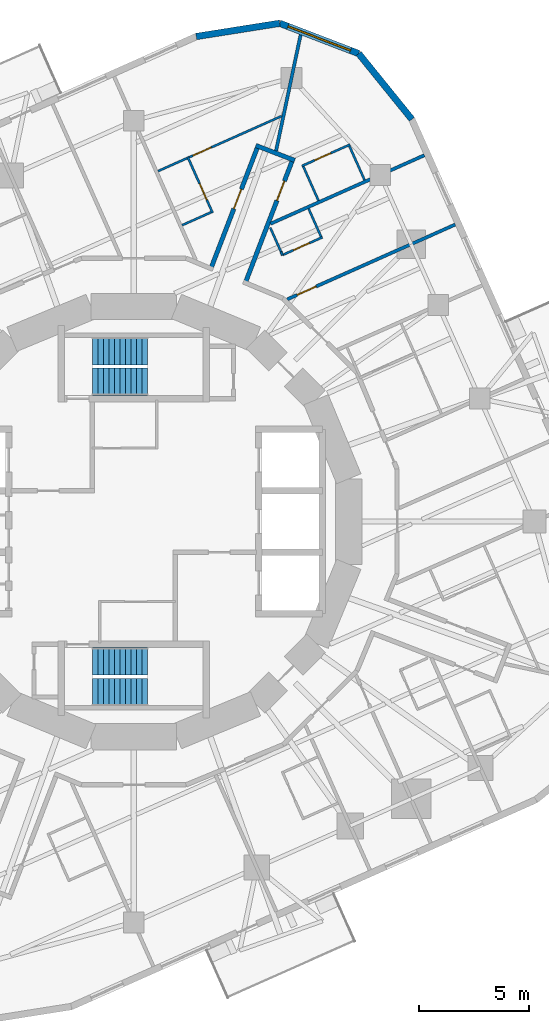
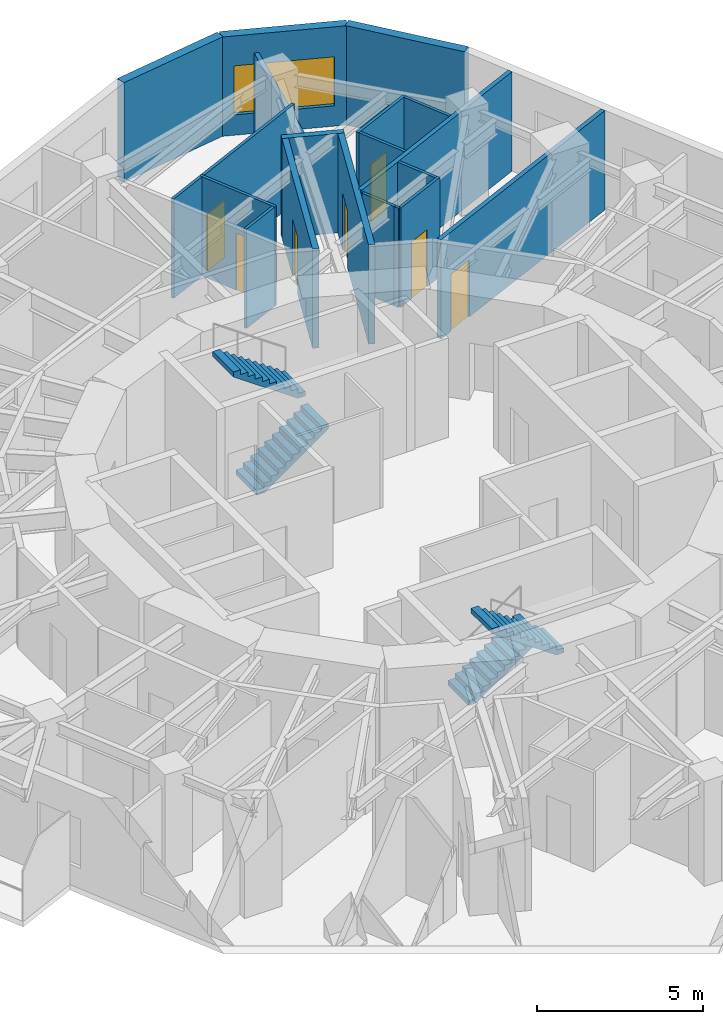
# One storey, part 10 of 12: 20 walls, 7 doors, 4 stair flights, 1 window, 8 openings, 2 elements without a shape of their own.
"""IFC4 building model written with IfcOpenShell, lengths in metres."""

from ifc_helpers import new_model, si_unit, direction, frame, frame_2d, origin, place, context, subcontext, project, spatial, polyline, rectangle, outline, extrude, material, layer, layer_set, type_object, element, fill, aggregate, save


model = new_model("IFC4")

# Units and contexts
model_context = context("Model", 3, precision=1e-05, world=origin(), true_north=direction((0.0, 1.0)))
body_context = subcontext(model_context, "Body", "Model", "MODEL_VIEW")
ifc_project = project(units=[si_unit("LENGTHUNIT", "METRE"), si_unit("AREAUNIT", "SQUARE_METRE"), si_unit("VOLUMEUNIT", "CUBIC_METRE"), si_unit("PLANEANGLEUNIT", "RADIAN"), si_unit("MASSUNIT", "GRAM", prefix="KILO")], contexts=[model_context])

# Site, building, storey
site_placement = place(None, origin())
site = spatial("IfcSite", under=ifc_project, at=site_placement, CompositionType="ELEMENT")
building_placement = place(site_placement, origin())
building = spatial("IfcBuilding", under=site, at=building_placement, Name="Nakasero Lantern House", CompositionType="ELEMENT")
storey_placement = place(building_placement, frame((0.0, 0.0, 186.300048828125)))
storey = spatial("IfcBuildingStorey", under=building, at=storey_placement, Name="L45", CompositionType="ELEMENT", Elevation=186.300048828125)

# Wall, opening, door
ifc_material_1 = material(Name="Blockwork", Category="masonry")
ifc_layer_1 = layer(ifc_material_1, 0.199951171875)
ifc_layer_set_1 = layer_set([ifc_layer_1], Name="Corridor wall 200")
wall_type_1 = type_object("IfcWallType", Name="Corridor wall 200", PredefinedType="PARTITIONING", material=ifc_layer_set_1)
wall_1_placement = place(storey_placement, frame((5.09033203125, 10.888671875, 0.0), z_axis=(0.0, 0.0, 1.0), x_axis=(0.35835059057, 0.933587089798, 0.0)))
wall_1 = element("IfcWall", 1, at=wall_1_placement, inside=storey, type_object=wall_type_1, Name="Corridor wall L45 SP0a", PredefinedType="PARTITIONING", context=body_context, shape_type="SweptSolid", body=[
    extrude(rectangle(XDim=6.117919921875, YDim=0.199951171875, at=frame_2d((3.05908203125, 0.0))), origin(), (0.0, 0.0, 1.0), 3.64990234375),
])
opening_1_placement = place(wall_1_placement, frame((4.02001953125, 0.0, 0.0)))
opening_1 = element("IfcOpeningElement", 2, at=opening_1_placement, cuts=wall_1, Name="Opening D01", PredefinedType="OPENING", context=body_context, shape_type="SweptSolid", body=[
    extrude(rectangle(XDim=0.949951171875, YDim=2.10009765625, at=frame_2d((0.47509765625, 1.050048828125))), frame((0.0, 0.119873046875, 0.0), z_axis=(0.0, -1.0, 0.0), x_axis=(1.0, 0.0, 0.0)), (0.0, 0.0, 1.0), 0.239990234375),
])
ifc_material_2 = material(Name="Timber C24", Category="wood")
door_type_1 = type_object("IfcDoorType", Name="Bedroom door FD30S 950", OperationType="SINGLE_SWING_LEFT", PredefinedType="DOOR", material=ifc_material_2)
door_1_placement = place(opening_1_placement, origin())
door_1 = element("IfcDoor", 3, at=door_1_placement, inside=storey, type_object=door_type_1, Name="Door L45 D0-06", OperationType="SINGLE_SWING_RIGHT", OverallHeight=2.10009765625, OverallWidth=0.949951171875, PredefinedType="DOOR", context=body_context, shape_type="SweptSolid", body=[
    extrude(rectangle(XDim=0.949951171875, YDim=2.10009765625, at=frame_2d((0.47509765625, 1.050048828125))), frame((0.0, 0.02490234375, 0.0), z_axis=(0.0, -1.0, 0.0), x_axis=(1.0, 0.0, 0.0)), (0.0, 0.0, 1.0), 0.050048828125),
])
fill(opening_1, door_1)

wall_2_placement = place(storey_placement, frame((3.51904296875, 11.53955078125, 0.0), z_axis=(0.0, 0.0, 1.0), x_axis=(0.358394497993, 0.93357023507, 0.0)))
wall_2 = element("IfcWall", 4, at=wall_2_placement, inside=storey, type_object=wall_type_1, Name="Corridor wall L45 SP0b", PredefinedType="PARTITIONING", context=body_context, shape_type="SweptSolid", body=[
    extrude(rectangle(XDim=6.07373046875, YDim=0.199951171875, at=frame_2d((3.036865234375, 0.0))), origin(), (0.0, 0.0, 1.0), 3.64990234375),
])
opening_2_placement = place(wall_2_placement, frame((2.919921875, 0.0, 0.0)))
opening_2 = element("IfcOpeningElement", 5, at=opening_2_placement, cuts=wall_2, Name="Opening D01", PredefinedType="OPENING", context=body_context, shape_type="SweptSolid", body=[
    extrude(rectangle(XDim=0.949951171875, YDim=2.10009765625, at=frame_2d((0.47509765625, 1.050048828125))), frame((0.0, 0.119873046875, 0.0), z_axis=(0.0, -1.0, 0.0), x_axis=(1.0, 0.0, 0.0)), (0.0, 0.0, 1.0), 0.239990234375),
])
door_2_placement = place(opening_2_placement, origin())
door_2 = element("IfcDoor", 6, at=door_2_placement, inside=storey, type_object=door_type_1, Name="Door L45 D1-00", OperationType="SINGLE_SWING_RIGHT", OverallHeight=2.10009765625, OverallWidth=0.949951171875, PredefinedType="DOOR", context=body_context, shape_type="SweptSolid", body=[
    extrude(rectangle(XDim=0.949951171875, YDim=2.10009765625, at=frame_2d((0.47509765625, 1.050048828125))), frame((0.0, 0.02490234375, 0.0), z_axis=(0.0, -1.0, 0.0), x_axis=(1.0, 0.0, 0.0)), (0.0, 0.0, 1.0), 0.050048828125),
])
fill(opening_2, door_2)

# Wall
wall_3_placement = place(storey_placement, frame((7.34033203125, 16.47119140625, 0.0), z_axis=(0.0, 0.0, 1.0), x_axis=(-0.933587135733, 0.3583504709, 0.0)))
element("IfcWall", 7, at=wall_3_placement, inside=storey, type_object=wall_type_1, Name="Corridor wall L45 SP0e", PredefinedType="PARTITIONING", context=body_context, shape_type="SweptSolid", body=[
    extrude(rectangle(XDim=1.900146484375, YDim=0.199951171875, at=frame_2d((0.9501953125, 0.0))), origin(), (0.0, 0.0, 1.0), 3.64990234375),
])

# Wall, opening, door
ifc_material_3 = material(Name="Blockwork", Category="masonry")
ifc_layer_2 = layer(ifc_material_3, 0.10009765625)
ifc_layer_set_2 = layer_set([ifc_layer_2], Name="En-suite wall 100")
wall_type_2 = type_object("IfcWallType", Name="En-suite wall 100", PredefinedType="PARTITIONING", material=ifc_layer_set_2)
wall_4_placement = place(storey_placement, frame((6.78125, 12.153564453125, 0.0), z_axis=(0.0, 0.0, 1.0), x_axis=(0.913529410294, 0.406772684097, 0.0)))
wall_4 = element("IfcWall", 8, at=wall_4_placement, inside=storey, type_object=wall_type_2, Name="En-suite wall L45 ES0-05", PredefinedType="PARTITIONING", context=body_context, shape_type="SweptSolid", body=[
    extrude(rectangle(XDim=1.999755859375, YDim=0.10009765625, at=frame_2d((1.0, 0.0))), origin(), (0.0, 0.0, 1.0), 3.64990234375),
])
opening_3_placement = place(wall_4_placement, frame((0.550048828125, 0.0, 0.0)))
opening_3 = element("IfcOpeningElement", 9, at=opening_3_placement, cuts=wall_4, Name="Opening D02", PredefinedType="OPENING", context=body_context, shape_type="SweptSolid", body=[
    extrude(rectangle(XDim=0.800048828125, YDim=2.10009765625, at=frame_2d((0.39990234375, 1.050048828125))), frame((0.0, 0.070068359375, 0.0), z_axis=(0.0, -1.0, 0.0), x_axis=(1.0, 0.0, 0.0)), (0.0, 0.0, 1.0), 0.14013671875),
])
ifc_material_4 = material(Name="Timber C24", Category="wood")
door_type_2 = type_object("IfcDoorType", Name="En-suite door 800", OperationType="SINGLE_SWING_RIGHT", PredefinedType="DOOR", material=ifc_material_4)
door_3_placement = place(opening_3_placement, origin())
door_3 = element("IfcDoor", 10, at=door_3_placement, inside=storey, type_object=door_type_2, Name="Door L45 DE0-05", OperationType="SINGLE_SWING_LEFT", OverallHeight=2.10009765625, OverallWidth=0.800048828125, PredefinedType="DOOR", context=body_context, shape_type="SweptSolid", body=[
    extrude(rectangle(XDim=0.800048828125, YDim=2.10009765625, at=frame_2d((0.39990234375, 1.050048828125))), frame((0.0, 0.02490234375, 0.0), z_axis=(0.0, -1.0, 0.0), x_axis=(1.0, 0.0, 0.0)), (0.0, 0.0, 1.0), 0.050048828125),
])
fill(opening_3, door_3)

# Wall
wall_5_placement = place(storey_placement, frame((8.542236328125, 12.992431640625, 0.0), z_axis=(0.0, 0.0, 1.0), x_axis=(-0.406866486472, 0.913487636581, 0.0)))
element("IfcWall", 11, at=wall_5_placement, inside=storey, type_object=wall_type_2, Name="En-suite wall L45 EE0-05", PredefinedType="PARTITIONING", context=body_context, shape_type="SweptSolid", body=[
    extrude(rectangle(XDim=1.39990234375, YDim=0.10009765625, at=frame_2d((0.699951171875, 0.0))), origin(), (0.0, 0.0, 1.0), 3.64990234375),
])

# Wall, opening, door
wall_6_placement = place(storey_placement, frame((7.66748046875, 16.215087890625, 0.0), z_axis=(0.0, 0.0, 1.0), x_axis=(0.913530294257, 0.40677069889, 0.0)))
wall_6 = element("IfcWall", 12, at=wall_6_placement, inside=storey, type_object=wall_type_2, Name="En-suite wall L45 ES0-06", PredefinedType="PARTITIONING", context=body_context, shape_type="SweptSolid", body=[
    extrude(rectangle(XDim=2.400146484375, YDim=0.10009765625, at=frame_2d((1.2001953125, 0.0))), origin(), (0.0, 0.0, 1.0), 3.64990234375),
])
opening_4_placement = place(wall_6_placement, frame((0.64990234375, 0.0, 0.0)))
opening_4 = element("IfcOpeningElement", 13, at=opening_4_placement, cuts=wall_6, Name="Opening D02", PredefinedType="OPENING", context=body_context, shape_type="SweptSolid", body=[
    extrude(rectangle(XDim=0.800048828125, YDim=2.10009765625, at=frame_2d((0.39990234375, 1.050048828125))), frame((0.0, 0.070068359375, 0.0), z_axis=(0.0, -1.0, 0.0), x_axis=(1.0, 0.0, 0.0)), (0.0, 0.0, 1.0), 0.14013671875),
])
door_4_placement = place(opening_4_placement, origin())
door_4 = element("IfcDoor", 14, at=door_4_placement, inside=storey, type_object=door_type_2, Name="Door L45 DE0-06", OperationType="SINGLE_SWING_LEFT", OverallHeight=2.10009765625, OverallWidth=0.800048828125, PredefinedType="DOOR", context=body_context, shape_type="SweptSolid", body=[
    extrude(rectangle(XDim=0.800048828125, YDim=2.10009765625, at=frame_2d((0.39990234375, 1.050048828125))), frame((0.0, 0.02490234375, 0.0), z_axis=(0.0, -1.0, 0.0), x_axis=(1.0, 0.0, 0.0)), (0.0, 0.0, 1.0), 0.050048828125),
])
fill(opening_4, door_4)

# Walls
wall_7_placement = place(storey_placement, frame((10.526123046875, 15.572265625, 0.0), z_axis=(0.0, 0.0, 1.0), x_axis=(-0.406724697108, 0.913550776237, 0.0)))
element("IfcWall", 15, at=wall_7_placement, inside=storey, type_object=wall_type_2, Name="En-suite wall L45 EE0-06", PredefinedType="PARTITIONING", context=body_context, shape_type="SweptSolid", body=[
    extrude(rectangle(XDim=1.699951171875, YDim=0.10009765625, at=frame_2d((0.85009765625, 0.0))), origin(), (0.0, 0.0, 1.0), 3.64990234375),
])
wall_8_placement = place(storey_placement, frame((8.425048828125, 14.63671875, 0.0), z_axis=(0.0, 0.0, 1.0), x_axis=(-0.406671340378, 0.91357452948, 0.0)))
element("IfcWall", 16, at=wall_8_placement, inside=storey, type_object=wall_type_2, Name="En-suite wall L45 EI0-06", PredefinedType="PARTITIONING", context=body_context, shape_type="SweptSolid", body=[
    extrude(rectangle(XDim=1.7001953125, YDim=0.10009765625, at=frame_2d((0.85009765625, 0.0))), origin(), (0.0, 0.0, 1.0), 3.64990234375),
])

# Wall, opening, door
wall_9_placement = place(storey_placement, frame((3.594482421875, 14.079345703125, 0.0), z_axis=(0.0, 0.0, 1.0), x_axis=(-0.406761316386, 0.913534471978, 0.0)))
wall_9 = element("IfcWall", 17, at=wall_9_placement, inside=storey, type_object=wall_type_2, Name="En-suite wall L45 ES1-00", PredefinedType="PARTITIONING", context=body_context, shape_type="SweptSolid", body=[
    extrude(rectangle(XDim=2.800048828125, YDim=0.10009765625, at=frame_2d((1.39990234375, 0.0))), origin(), (0.0, 0.0, 1.0), 3.64990234375),
])
opening_5_placement = place(wall_9_placement, frame((0.64990234375, 0.0, 0.0)))
opening_5 = element("IfcOpeningElement", 18, at=opening_5_placement, cuts=wall_9, Name="Opening D02", PredefinedType="OPENING", context=body_context, shape_type="SweptSolid", body=[
    extrude(rectangle(XDim=0.800048828125, YDim=2.10009765625, at=frame_2d((0.39990234375, 1.050048828125))), frame((0.0, 0.070068359375, 0.0), z_axis=(0.0, -1.0, 0.0), x_axis=(1.0, 0.0, 0.0)), (0.0, 0.0, 1.0), 0.14013671875),
])
door_5_placement = place(opening_5_placement, origin())
door_5 = element("IfcDoor", 19, at=door_5_placement, inside=storey, type_object=door_type_2, Name="Door L45 DE1-00", OperationType="SINGLE_SWING_LEFT", OverallHeight=2.10009765625, OverallWidth=0.800048828125, PredefinedType="DOOR", context=body_context, shape_type="SweptSolid", body=[
    extrude(rectangle(XDim=0.800048828125, YDim=2.10009765625, at=frame_2d((0.39990234375, 1.050048828125))), frame((0.0, 0.02490234375, 0.0), z_axis=(0.0, -1.0, 0.0), x_axis=(1.0, 0.0, 0.0)), (0.0, 0.0, 1.0), 0.050048828125),
])
fill(opening_5, door_5)

# Walls
for number, where, z_axis, x_axis, name in (
    (20, (2.430419921875, 16.571044921875, 0.0), (0.0, 0.0, 1.0), (-0.91359617957, -0.406622700638, 0.0), "En-suite wall L45 EE1-00"),
    (21, (3.528564453125, 14.1044921875, 0.0), (0.0, 0.0, 1.0), (-0.91359617957, -0.406622700638, 0.0), "En-suite wall L45 EI1-00"),
):
    element("IfcWall", number, at=place(storey_placement, frame(where, z_axis=z_axis, x_axis=x_axis)), inside=storey, type_object=wall_type_2, Name=name, PredefinedType="PARTITIONING", context=body_context, shape_type="SweptSolid", body=[
        extrude(rectangle(XDim=1.449951171875, YDim=0.10009765625, at=frame_2d((0.72509765625, 0.0))), origin(), (0.0, 0.0, 1.0), 3.64990234375),
    ])

# Wall, opening, door
wall_10_placement = place(storey_placement, frame((6.749267578125, 18.494140625, 0.0), z_axis=(0.0, 0.0, 1.0), x_axis=(-0.913537222533, -0.406755138931, 0.0)))
wall_10 = element("IfcWall", 22, at=wall_10_placement, inside=storey, type_object=wall_type_2, Name="En-suite wall L45 EL1-00", PredefinedType="PARTITIONING", context=body_context, shape_type="SweptSolid", body=[
    extrude(rectangle(XDim=4.627685546875, YDim=0.10009765625, at=frame_2d((2.31396484375, 0.0))), origin(), (0.0, 0.0, 1.0), 3.64990234375),
])
opening_6_placement = place(wall_10_placement, frame((3.527587890625, 0.0, 0.0)))
opening_6 = element("IfcOpeningElement", 23, at=opening_6_placement, cuts=wall_10, Name="Opening D17", PredefinedType="OPENING", context=body_context, shape_type="SweptSolid", body=[
    extrude(rectangle(XDim=0.89990234375, YDim=2.10009765625, at=frame_2d((0.449951171875, 1.050048828125))), frame((0.0, 0.070068359375, 0.0), z_axis=(0.0, -1.0, 0.0), x_axis=(1.0, 0.0, 0.0)), (0.0, 0.0, 1.0), 0.14013671875),
])
ifc_material_5 = material(Name="Timber C24", Category="wood")
door_type_3 = type_object("IfcDoorType", Name="Bedroom door FD30S 900", OperationType="SINGLE_SWING_LEFT", PredefinedType="DOOR", material=ifc_material_5)
door_6_placement = place(opening_6_placement, origin())
door_6 = element("IfcDoor", 24, at=door_6_placement, inside=storey, type_object=door_type_3, Name="Door L45 DL1-00", OperationType="SINGLE_SWING_RIGHT", OverallHeight=2.10009765625, OverallWidth=0.89990234375, PredefinedType="DOOR", context=body_context, shape_type="SweptSolid", body=[
    extrude(rectangle(XDim=0.89990234375, YDim=2.10009765625, at=frame_2d((0.449951171875, 1.050048828125))), frame((0.0, 0.02490234375, 0.0), z_axis=(0.0, -1.0, 0.0), x_axis=(1.0, 0.0, 0.0)), (0.0, 0.0, 1.0), 0.050048828125),
])
fill(opening_6, door_6)

# Walls
wall_11_placement = place(storey_placement, frame((6.225830078125, 13.400634765625, 0.0), z_axis=(0.0, 0.0, 1.0), x_axis=(0.406739792336, -0.913544055495, 0.0)))
element("IfcWall", 25, at=wall_11_placement, inside=storey, type_object=wall_type_2, Name="En-suite wall L45 EX000", PredefinedType="PARTITIONING", context=body_context, shape_type="SweptSolid", body=[
    extrude(rectangle(XDim=1.205322265625, YDim=0.10009765625, at=frame_2d((0.6025390625, 0.0))), origin(), (0.0, 0.0, 1.0), 3.64990234375),
])
wall_12_placement = place(storey_placement, frame((6.78125, 12.153564453125, 0.0), z_axis=(0.0, 0.0, 1.0), x_axis=(-0.407696311466, 0.913117581485, 0.0)))
element("IfcWall", 26, at=wall_12_placement, inside=storey, type_object=wall_type_2, Name="En-suite wall L45 ES0-05R0", PredefinedType="PARTITIONING", context=body_context, shape_type="SweptSolid", body=[
    extrude(rectangle(XDim=0.159912109375, YDim=0.10009765625, at=frame_2d((0.080078125, 0.0))), origin(), (0.0, 0.0, 1.0), 3.64990234375),
])
ifc_material_6 = material(Name="Aluminium rainscreen on blockwork", Category="masonry")
ifc_layer_3 = layer(ifc_material_6, 0.300048828125)
ifc_layer_set_3 = layer_set([ifc_layer_3], Name="Facade wall 300")
wall_type_3 = type_object("IfcWallType", Name="Facade wall 300", PredefinedType="SOLIDWALL", material=ifc_layer_set_3)
wall_13_placement = place(storey_placement, frame((12.684814453125, 18.345458984375, 0.0), z_axis=(0.0, 0.0, 1.0), x_axis=(-0.629285642335, 0.777174099125, 0.0)))
element("IfcWall", 27, at=wall_13_placement, inside=storey, type_object=wall_type_3, Name="Facade wall L45 FW0C1", PredefinedType="SOLIDWALL", context=body_context, shape_type="SweptSolid", body=[
    extrude(rectangle(XDim=3.8564453125, YDim=0.300048828125, at=frame_2d((1.92822265625, 0.0))), origin(), (0.0, 0.0, 1.0), 3.64990234375),
])

# Wall, opening, window
wall_14_placement = place(storey_placement, frame((10.258056640625, 21.342529296875, 0.0), z_axis=(0.0, 0.0, 1.0), x_axis=(-0.933598278948, 0.358321438858, 0.0)))
wall_14 = element("IfcWall", 28, at=wall_14_placement, inside=storey, type_object=wall_type_3, Name="Facade wall L45 FW0C2", PredefinedType="SOLIDWALL", context=body_context, shape_type="SweptSolid", body=[
    extrude(rectangle(XDim=3.8564453125, YDim=0.300048828125, at=frame_2d((1.92822265625, 0.0))), origin(), (0.0, 0.0, 1.0), 3.64990234375),
])
opening_7_placement = place(wall_14_placement, frame((0.39990234375, 0.0, 0.75)))
opening_7 = element("IfcOpeningElement", 29, at=opening_7_placement, cuts=wall_14, Name="Opening W230", PredefinedType="OPENING", context=body_context, shape_type="SweptSolid", body=[
    extrude(rectangle(XDim=3.055908203125, YDim=1.800048828125, at=frame_2d((1.52783203125, 0.89990234375))), frame((0.0, 0.169921875, 0.0), z_axis=(0.0, -1.0, 0.0), x_axis=(1.0, 0.0, 0.0)), (0.0, 0.0, 1.0), 0.340087890625),
])
ifc_material_7 = material(Name="Aluminium 6063-T6 and glass", Category="aluminium")
window_type = type_object("IfcWindowType", Name="Corner window 3056x1800", PartitioningType="SINGLE_PANEL", PredefinedType="WINDOW", material=ifc_material_7)
window_placement = place(opening_7_placement, origin())
window = element("IfcWindow", 30, at=window_placement, inside=storey, type_object=window_type, Name="Window L45 WC0", OverallHeight=1.800048828125, OverallWidth=3.055908203125, PartitioningType="SINGLE_PANEL", PredefinedType="WINDOW", context=body_context, shape_type="SweptSolid", body=[
    extrude(rectangle(XDim=3.055908203125, YDim=1.800048828125, at=frame_2d((1.52783203125, 0.89990234375))), frame((0.0, 0.030029296875, 0.0), z_axis=(0.0, -1.0, 0.0), x_axis=(1.0, 0.0, 0.0)), (0.0, 0.0, 1.0), 0.06005859375),
])
fill(opening_7, window)

# Wall
wall_15_placement = place(storey_placement, frame((6.65771484375, 22.724365234375, 0.0), z_axis=(0.0, 0.0, 1.0), x_axis=(-0.987687906802, -0.156437203878, 0.0)))
element("IfcWall", 31, at=wall_15_placement, inside=storey, type_object=wall_type_3, Name="Facade wall L45 FW0C3", PredefinedType="SOLIDWALL", context=body_context, shape_type="SweptSolid", body=[
    extrude(rectangle(XDim=3.856201171875, YDim=0.300048828125, at=frame_2d((1.92822265625, 0.0))), origin(), (0.0, 0.0, 1.0), 3.64990234375),
])

# Wall, opening, door
ifc_material_8 = material(Name="Blockwork", Category="masonry")
ifc_layer_4 = layer(ifc_material_8, 0.14990234375)
ifc_layer_set_4 = layer_set([ifc_layer_4], Name="Party wall 150")
wall_type_4 = type_object("IfcWallType", Name="Party wall 150", PredefinedType="PARTITIONING", material=ifc_layer_set_4)
wall_16_placement = place(storey_placement, frame((6.99267578125, 10.130615234375, 0.0), z_axis=(0.0, 0.0, 1.0), x_axis=(0.913547411288, 0.406732255089, 0.0)))
wall_16 = element("IfcWall", 32, at=wall_16_placement, inside=storey, type_object=wall_type_4, Name="Party wall L45 PW0-05", PredefinedType="PARTITIONING", context=body_context, shape_type="SweptSolid", body=[
    extrude(rectangle(XDim=8.3916015625, YDim=0.14990234375, at=frame_2d((4.19580078125, 0.0))), origin(), (0.0, 0.0, 1.0), 3.64990234375),
])
opening_8_placement = place(wall_16_placement, frame((0.5, 0.0, 0.0)))
opening_8 = element("IfcOpeningElement", 33, at=opening_8_placement, cuts=wall_16, Name="Opening D01", PredefinedType="OPENING", context=body_context, shape_type="SweptSolid", body=[
    extrude(rectangle(XDim=0.949951171875, YDim=2.10009765625, at=frame_2d((0.47509765625, 1.050048828125))), frame((0.0, 0.094970703125, 0.0), z_axis=(0.0, -1.0, 0.0), x_axis=(1.0, 0.0, 0.0)), (0.0, 0.0, 1.0), 0.18994140625),
])
door_7_placement = place(opening_8_placement, origin())
door_7 = element("IfcDoor", 34, at=door_7_placement, inside=storey, type_object=door_type_1, Name="Door L45 DS0-05", OperationType="SINGLE_SWING_LEFT", OverallHeight=2.10009765625, OverallWidth=0.949951171875, PredefinedType="DOOR", context=body_context, shape_type="SweptSolid", body=[
    extrude(rectangle(XDim=0.949951171875, YDim=2.10009765625, at=frame_2d((0.47509765625, 1.050048828125))), frame((0.0, 0.02490234375, 0.0), z_axis=(0.0, -1.0, 0.0), x_axis=(1.0, 0.0, 0.0)), (0.0, 0.0, 1.0), 0.050048828125),
])
fill(opening_8, door_7)

# Walls
wall_17_placement = place(storey_placement, frame((6.2294921875, 13.5771484375, 0.0), z_axis=(0.0, 0.0, 1.0), x_axis=(0.913546787387, 0.406733656408, 0.0)))
element("IfcWall", 35, at=wall_17_placement, inside=storey, type_object=wall_type_4, Name="Party wall L45 PW0-06", PredefinedType="PARTITIONING", context=body_context, shape_type="SweptSolid", body=[
    extrude(rectangle(XDim=7.686767578125, YDim=0.14990234375, at=frame_2d((3.84326171875, 0.0))), origin(), (0.0, 0.0, 1.0), 3.64990234375),
])
wall_18_placement = place(storey_placement, frame((6.4892578125, 16.905029296875, 0.0), z_axis=(0.0, 0.0, 1.0), x_axis=(0.207273681618, 0.97828299633, 0.0)))
element("IfcWall", 36, at=wall_18_placement, inside=storey, type_object=wall_type_4, Name="Party wall L45 PW1-00", PredefinedType="PARTITIONING", context=body_context, shape_type="SweptSolid", body=[
    extrude(rectangle(XDim=5.4052734375, YDim=0.14990234375, at=frame_2d((2.70263671875, 0.0))), origin(), (0.0, 0.0, 1.0), 2.966552734375),
])

# Stair, stair flights
ifc_material_9 = material(Name="Concrete C40/50", Category="concrete")
stair_type_1 = type_object("IfcStairType", Name="Escape stair ST1 22 risers", PredefinedType="HALF_TURN_STAIR", material=ifc_material_9)
stair_1_placement = place(storey_placement, origin())
stair_1 = element("IfcStair", 37, at=stair_1_placement, inside=storey, type_object=stair_type_1, Name="Escape stair ST1 L45", PredefinedType="HALF_TURN_STAIR")
ifc_material_10 = material(Name="Concrete C40/50", Category="concrete")
stair_flight_type = type_object("IfcStairFlightType", Name="Escape stair flight", PredefinedType="STRAIGHT", material=ifc_material_10)
stair_flight_1_placement = place(storey_placement, frame((-1.875, 6.375, 0.0), z_axis=(0.0, 0.0, 1.0), x_axis=(1.0, 0.0, 0.0)))
stair_flight_1 = element("IfcStairFlight", 38, at=stair_flight_1_placement, type_object=stair_flight_type, Name="ST1 flight 1", NumberOfRisers=11, NumberOfTreads=10, PredefinedType="STRAIGHT", RiserHeight=0.175, TreadLength=0.25, context=body_context, shape_type="SweptSolid", body=[
    extrude(outline(polyline([(0.0, 0.0), (0.0, 0.175048828125), (0.25, 0.175048828125), (0.25, 0.35009765625), (0.5, 0.35009765625), (0.5, 0.52490234375), (0.75, 0.52490234375), (0.75, 0.699951171875), (1.0, 0.699951171875), (1.0, 0.875), (1.25, 0.875), (1.25, 1.050048828125), (1.5, 1.050048828125), (1.5, 1.22509765625), (1.75, 1.22509765625), (1.75, 1.39990234375), (2.0, 1.39990234375), (2.0, 1.574951171875), (2.25, 1.574951171875), (2.25, 1.75), (2.5, 1.75), (2.5, 1.925048828125), (2.5, 1.567138671875), (0.261474609375, 0.0), (0.0, 0.0)])), frame((0.0, 0.625, 0.0), z_axis=(0.0, -1.0, 0.0), x_axis=(1.0, 0.0, 0.0)), (0.0, 0.0, 1.0), 1.25),
])
stair_flight_2_placement = place(storey_placement, frame((0.625, 7.77490234375, 1.925048828125), z_axis=(0.0, 0.0, 1.0), x_axis=(-1.0, 0.0, 0.0)))
stair_flight_2 = element("IfcStairFlight", 39, at=stair_flight_2_placement, type_object=stair_flight_type, Name="ST1 flight 2", NumberOfRisers=11, NumberOfTreads=10, PredefinedType="STRAIGHT", RiserHeight=0.175, TreadLength=0.25, context=body_context, shape_type="SweptSolid", body=[
    extrude(outline(polyline([(0.0, 0.0), (0.0, 0.175048828125), (0.25, 0.175048828125), (0.25, 0.35009765625), (0.5, 0.35009765625), (0.5, 0.52490234375), (0.75, 0.52490234375), (0.75, 0.699951171875), (1.0, 0.699951171875), (1.0, 0.875), (1.25, 0.875), (1.25, 1.050048828125), (1.5, 1.050048828125), (1.5, 1.22509765625), (1.75, 1.22509765625), (1.75, 1.39990234375), (2.0, 1.39990234375), (2.0, 1.574951171875), (2.25, 1.574951171875), (2.25, 1.75), (2.5, 1.75), (2.5, 1.925048828125), (2.5, 1.567138671875), (0.261474609375, 0.0), (0.0, 0.0)])), frame((0.0, 0.625, 0.0), z_axis=(0.0, -1.0, 0.0), x_axis=(1.0, 0.0, 0.0)), (0.0, 0.0, 1.0), 1.25),
])
aggregate(stair_1, [stair_flight_1, stair_flight_2])

ifc_material_11 = material(Name="Concrete C40/50", Category="concrete")
stair_type_2 = type_object("IfcStairType", Name="Escape stair ST2 22 risers", PredefinedType="HALF_TURN_STAIR", material=ifc_material_11)
stair_2_placement = place(storey_placement, origin())
stair_2 = element("IfcStair", 40, at=stair_2_placement, inside=storey, type_object=stair_type_2, Name="Escape stair ST2 L45", PredefinedType="HALF_TURN_STAIR")
stair_flight_3_placement = place(storey_placement, frame((-1.875, -6.375, 0.0), z_axis=(0.0, 0.0, 1.0), x_axis=(1.0, 0.0, 0.0)))
stair_flight_3 = element("IfcStairFlight", 41, at=stair_flight_3_placement, type_object=stair_flight_type, Name="ST2 flight 1", NumberOfRisers=11, NumberOfTreads=10, PredefinedType="STRAIGHT", RiserHeight=0.175, TreadLength=0.25, context=body_context, shape_type="SweptSolid", body=[
    extrude(outline(polyline([(0.0, 0.0), (0.0, 0.175048828125), (0.25, 0.175048828125), (0.25, 0.35009765625), (0.5, 0.35009765625), (0.5, 0.52490234375), (0.75, 0.52490234375), (0.75, 0.699951171875), (1.0, 0.699951171875), (1.0, 0.875), (1.25, 0.875), (1.25, 1.050048828125), (1.5, 1.050048828125), (1.5, 1.22509765625), (1.75, 1.22509765625), (1.75, 1.39990234375), (2.0, 1.39990234375), (2.0, 1.574951171875), (2.25, 1.574951171875), (2.25, 1.75), (2.5, 1.75), (2.5, 1.925048828125), (2.5, 1.567138671875), (0.261474609375, 0.0), (0.0, 0.0)])), frame((0.0, 0.625, 0.0), z_axis=(0.0, -1.0, 0.0), x_axis=(1.0, 0.0, 0.0)), (0.0, 0.0, 1.0), 1.25),
])
stair_flight_4_placement = place(storey_placement, frame((0.625, -7.77490234375, 1.925048828125), z_axis=(0.0, 0.0, 1.0), x_axis=(-1.0, 0.0, 0.0)))
stair_flight_4 = element("IfcStairFlight", 42, at=stair_flight_4_placement, type_object=stair_flight_type, Name="ST2 flight 2", NumberOfRisers=11, NumberOfTreads=10, PredefinedType="STRAIGHT", RiserHeight=0.175, TreadLength=0.25, context=body_context, shape_type="SweptSolid", body=[
    extrude(outline(polyline([(0.0, 0.0), (0.0, 0.175048828125), (0.25, 0.175048828125), (0.25, 0.35009765625), (0.5, 0.35009765625), (0.5, 0.52490234375), (0.75, 0.52490234375), (0.75, 0.699951171875), (1.0, 0.699951171875), (1.0, 0.875), (1.25, 0.875), (1.25, 1.050048828125), (1.5, 1.050048828125), (1.5, 1.22509765625), (1.75, 1.22509765625), (1.75, 1.39990234375), (2.0, 1.39990234375), (2.0, 1.574951171875), (2.25, 1.574951171875), (2.25, 1.75), (2.5, 1.75), (2.5, 1.925048828125), (2.5, 1.567138671875), (0.261474609375, 0.0), (0.0, 0.0)])), frame((0.0, 0.625, 0.0), z_axis=(0.0, -1.0, 0.0), x_axis=(1.0, 0.0, 0.0)), (0.0, 0.0, 1.0), 1.25),
])
aggregate(stair_2, [stair_flight_3, stair_flight_4])

save(model, "model.ifc")
